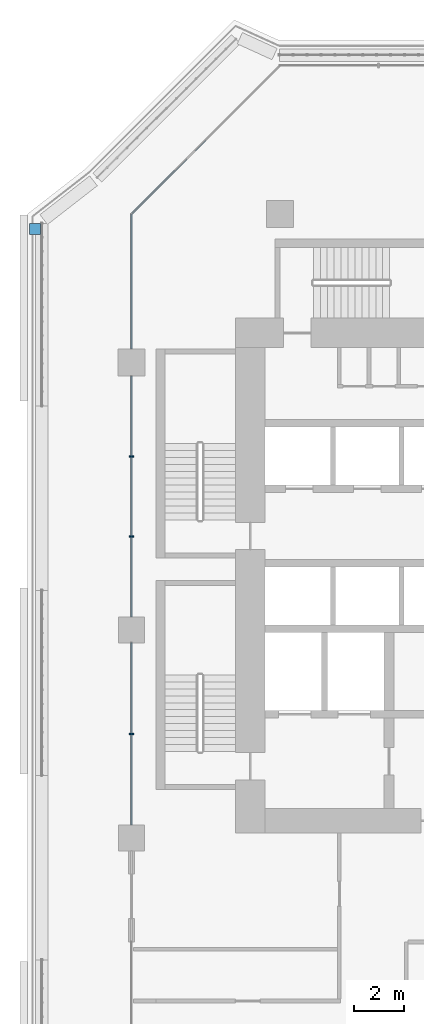
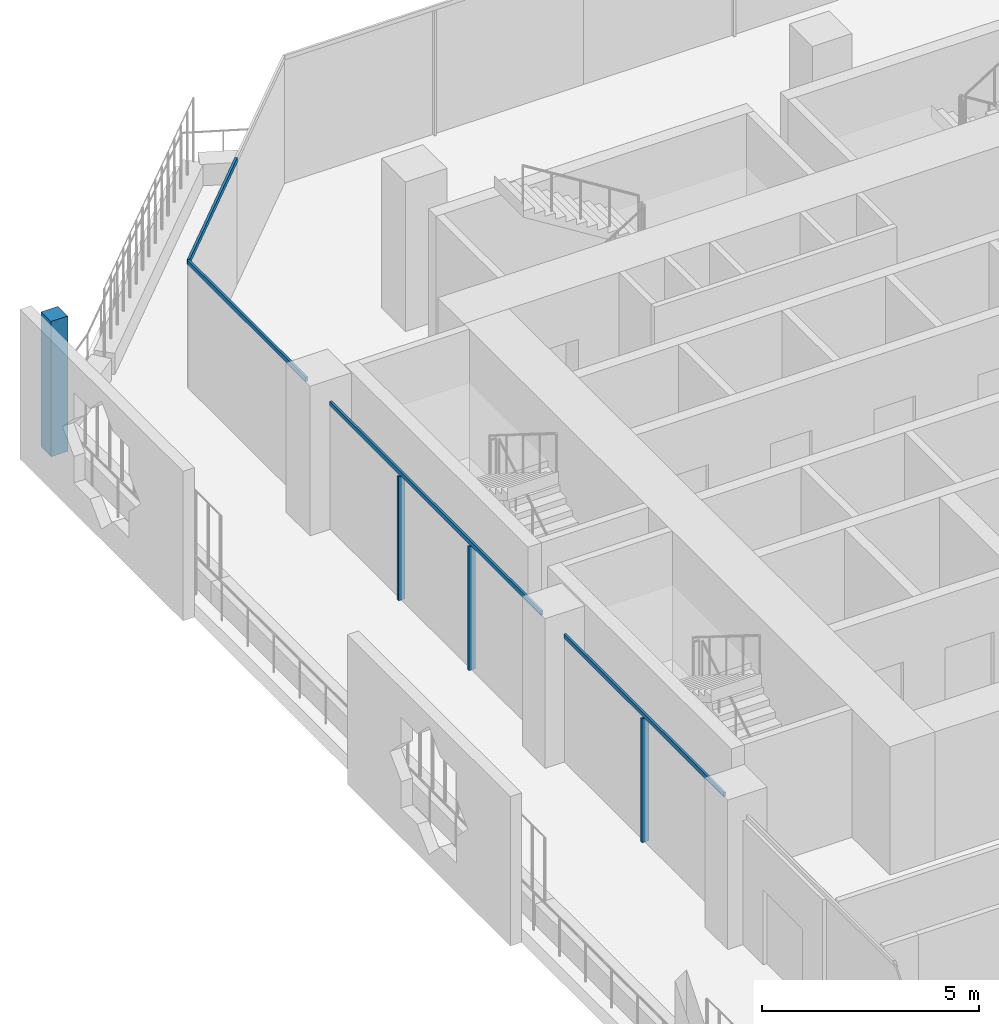
# One storey, part 5 of 25: 8 members, 3 elements without a shape of their own.
"""IFC4 building model written with IfcOpenShell, lengths in metres."""

from ifc_helpers import new_model, si_unit, direction, frame, origin, origin_2d, place, context, subcontext, project, spatial, rectangle, extrude, material, layer, layer_set, material_profile, profile_set, type_object, element, aggregate, save


model = new_model("IFC4")

# Units and contexts
model_context = context("Model", 3, precision=1e-05, world=origin(), true_north=direction((0.0, 1.0)))
body_context = subcontext(model_context, "Body", "Model", "MODEL_VIEW")
ifc_project = project(units=[si_unit("LENGTHUNIT", "METRE"), si_unit("AREAUNIT", "SQUARE_METRE"), si_unit("VOLUMEUNIT", "CUBIC_METRE"), si_unit("PLANEANGLEUNIT", "RADIAN"), si_unit("MASSUNIT", "GRAM", prefix="KILO")], contexts=[model_context])

# Site, building, storey
site_placement = place(None, origin())
site = spatial("IfcSite", under=ifc_project, at=site_placement, CompositionType="ELEMENT")
building_placement = place(site_placement, origin())
building = spatial("IfcBuilding", under=site, at=building_placement, Name="Kawkab Arch Medical Tower", CompositionType="ELEMENT")
storey_placement = place(building_placement, frame((0.0, 0.0, 140.800048828125)))
storey = spatial("IfcBuildingStorey", under=building, at=storey_placement, Name="L32", CompositionType="ELEMENT", Elevation=140.800048828125)

# Curtain wall, members
ifc_material_1 = material(Name="Bronze anodised aluminium curtain wall frame", Category="aluminium")
ifc_layer_1 = layer(ifc_material_1, 0.159912109375)
ifc_layer_set_1 = layer_set([ifc_layer_1], Name="Bronze anodised aluminium curtain wall frame")
curtain_wall_type_1 = type_object("IfcCurtainWallType", Name="CW1 ward curtain wall", PredefinedType="NOTDEFINED", material=ifc_layer_set_1)
placement = place(storey_placement, origin())
curtain_wall_1 = element("IfcCurtainWall", 1, at=placement, inside=storey, type_object=curtain_wall_type_1, Name="CW1 Ward curtain wall R01", PredefinedType="NOTDEFINED")
ifc_material_2 = material(Name="Bronze anodised aluminium curtain wall frame", Category="aluminium")
ifc_material_profile_1 = material_profile(ifc_material_2, rectangle(XDim=0.179931640625, YDim=0.06005859375, at=origin_2d()), Name="AL 60x180")
ifc_profile_set_1 = profile_set([ifc_material_profile_1], Name="Bronze anodised aluminium curtain wall frame")
member_type_1 = type_object("IfcMemberType", Name="CW1 mullion 60 x 180", PredefinedType="MULLION", material=ifc_profile_set_1)
member_1_placement = place(storey_placement, frame((0.0, -9.791748046875, 0.0), z_axis=(0.0, 0.0, 1.0), x_axis=(1.0, 0.0, 0.0)))
member_1 = element("IfcMember", 2, at=member_1_placement, type_object=member_type_1, Name="CW1 mullion 2.1", PredefinedType="MULLION", context=body_context, shape_type="SweptSolid", body=[
    extrude(rectangle(XDim=0.179931640625, YDim=0.06005859375, at=origin_2d()), origin(), (0.0, 0.0, 1.0), 3.47998046875),
])
member_2_placement = place(storey_placement, frame((0.0, -13.033447265625, 0.0), z_axis=(0.0, 0.0, 1.0), x_axis=(1.0, 0.0, 0.0)))
member_2 = element("IfcMember", 3, at=member_2_placement, type_object=member_type_1, Name="CW1 mullion 2.2", PredefinedType="MULLION", context=body_context, shape_type="SweptSolid", body=[
    extrude(rectangle(XDim=0.179931640625, YDim=0.06005859375, at=origin_2d()), origin(), (0.0, 0.0, 1.0), 3.47998046875),
])
member_3_placement = place(storey_placement, frame((0.0, -21.0, 0.0), z_axis=(0.0, 0.0, 1.0), x_axis=(1.0, 0.0, 0.0)))
member_3 = element("IfcMember", 4, at=member_3_placement, type_object=member_type_1, Name="CW1 mullion 3.1", PredefinedType="MULLION", context=body_context, shape_type="SweptSolid", body=[
    extrude(rectangle(XDim=0.179931640625, YDim=0.06005859375, at=origin_2d()), origin(), (0.0, 0.0, 1.0), 3.47998046875),
])
ifc_material_3 = material(Name="Bronze anodised aluminium curtain wall frame", Category="aluminium")
ifc_material_profile_2 = material_profile(ifc_material_3, rectangle(XDim=0.06005859375, YDim=0.1201171875, at=origin_2d()), Name="AL 60x120")
ifc_profile_set_2 = profile_set([ifc_material_profile_2], Name="Bronze anodised aluminium curtain wall frame")
member_type_2 = type_object("IfcMemberType", Name="CW1 transom 120 x 60", PredefinedType="USERDEFINED", material=ifc_profile_set_2)
member_4_placement = place(storey_placement, frame((0.0, 0.0, 3.5400390625), z_axis=(0.0, -1.0, 0.0), x_axis=(1.0, 0.0, 0.0)))
member_4 = element("IfcMember", 5, at=member_4_placement, type_object=member_type_2, Name="CW1 transom 1", ObjectType="TRANSOM", PredefinedType="USERDEFINED", context=body_context, shape_type="SweptSolid", body=[
    extrude(rectangle(XDim=0.06005859375, YDim=0.1201171875, at=origin_2d()), origin(), (0.0, 0.0, 1.0), 5.449951171875),
])
member_5_placement = place(storey_placement, frame((0.0, -6.550048828125, 3.5400390625), z_axis=(0.0, -1.0, 0.0), x_axis=(1.0, 0.0, 0.0)))
member_5 = element("IfcMember", 6, at=member_5_placement, type_object=member_type_2, Name="CW1 transom 2", ObjectType="TRANSOM", PredefinedType="USERDEFINED", context=body_context, shape_type="SweptSolid", body=[
    extrude(rectangle(XDim=0.06005859375, YDim=0.1201171875, at=origin_2d()), origin(), (0.0, 0.0, 1.0), 9.724853515625),
])
member_6_placement = place(storey_placement, frame((0.0, -17.324951171875, 3.5400390625), z_axis=(0.0, -1.0, 0.0), x_axis=(1.0, 0.0, 0.0)))
member_6 = element("IfcMember", 7, at=member_6_placement, type_object=member_type_2, Name="CW1 transom 3", ObjectType="TRANSOM", PredefinedType="USERDEFINED", context=body_context, shape_type="SweptSolid", body=[
    extrude(rectangle(XDim=0.06005859375, YDim=0.1201171875, at=origin_2d()), origin(), (0.0, 0.0, 1.0), 7.35009765625),
])
aggregate(curtain_wall_1, [member_4, member_5, member_1, member_2, member_6, member_3])

# Curtain wall, member
ifc_material_4 = material(Name="Bronze anodised aluminium curtain wall frame", Category="aluminium")
ifc_layer_2 = layer(ifc_material_4, 0.159912109375)
ifc_layer_set_2 = layer_set([ifc_layer_2], Name="Bronze anodised aluminium curtain wall frame")
curtain_wall_type_2 = type_object("IfcCurtainWallType", Name="CW2 chamfer curtain wall", PredefinedType="NOTDEFINED", material=ifc_layer_set_2)
curtain_wall_2 = element("IfcCurtainWall", 8, at=placement, inside=storey, type_object=curtain_wall_type_2, Name="CW2 Chamfer curtain wall R12", PredefinedType="NOTDEFINED")
ifc_material_5 = material(Name="Bronze anodised aluminium curtain wall frame", Category="aluminium")
ifc_material_profile_3 = material_profile(ifc_material_5, rectangle(XDim=0.06005859375, YDim=0.139892578125, at=origin_2d()), Name="AL 60x140")
ifc_profile_set_3 = profile_set([ifc_material_profile_3], Name="Bronze anodised aluminium curtain wall frame")
member_type_3 = type_object("IfcMemberType", Name="CW2 transom 140 x 60", PredefinedType="USERDEFINED", material=ifc_profile_set_3)
member_7_placement = place(storey_placement, frame((3.0, 3.0, 3.530029296875), z_axis=(-0.707106781187, -0.707106781187, 0.0), x_axis=(0.707106781187, -0.707106781187, 0.0)))
member_7 = element("IfcMember", 9, at=member_7_placement, type_object=member_type_3, Name="CW2 transom 2", ObjectType="TRANSOM", PredefinedType="USERDEFINED", context=body_context, shape_type="SweptSolid", body=[
    extrude(rectangle(XDim=0.06005859375, YDim=0.139892578125, at=origin_2d()), origin(), (0.0, 0.0, 1.0), 4.24267578125),
])
aggregate(curtain_wall_2, [member_7])

ifc_material_6 = material(Name="Bronze anodised aluminium climber frame, planted", Category="aluminium")
ifc_layer_3 = layer(ifc_material_6, 0.449951171875)
ifc_layer_set_3 = layer_set([ifc_layer_3], Name="Bronze anodised aluminium climber frame, planted")
curtain_wall_type_3 = type_object("IfcCurtainWallType", Name="Planted climber frame", PredefinedType="NOTDEFINED", material=ifc_layer_set_3)
curtain_wall_3 = element("IfcCurtainWall", 10, at=placement, inside=storey, type_object=curtain_wall_type_3, Name="Planted climber frame L32", PredefinedType="NOTDEFINED")
ifc_material_7 = material(Name="Bronze anodised aluminium climber frame, planted", Category="aluminium")
ifc_material_profile_4 = material_profile(ifc_material_7, rectangle(XDim=0.449951171875, YDim=0.449951171875, at=origin_2d()), Name="Post 450x450")
ifc_profile_set_4 = profile_set([ifc_material_profile_4], Name="Bronze anodised aluminium climber frame, planted")
member_type_4 = type_object("IfcMemberType", Name="Planted climber post 450 x 450", PredefinedType="MULLION", material=ifc_profile_set_4)
member_8_placement = place(storey_placement, frame((-3.89990234375, -0.596923828125, 0.0), z_axis=(0.0, 0.0, 1.0), x_axis=(1.0, 0.0, 0.0)))
member_8 = element("IfcMember", 11, at=member_8_placement, type_object=member_type_4, Name="Planted climber post L32.LOG-01-01.2", PredefinedType="MULLION", context=body_context, shape_type="SweptSolid", body=[
    extrude(rectangle(XDim=0.449951171875, YDim=0.449951171875, at=origin_2d()), origin(), (0.0, 0.0, 1.0), 3.800048828125),
])
aggregate(curtain_wall_3, [member_8])

save(model, "model.ifc")
